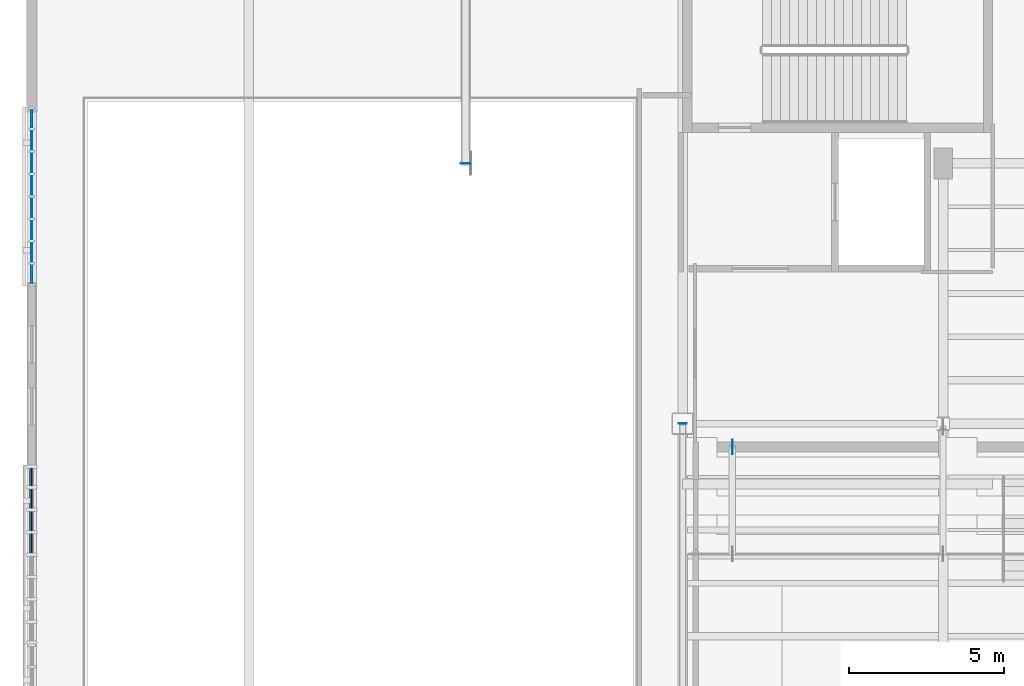
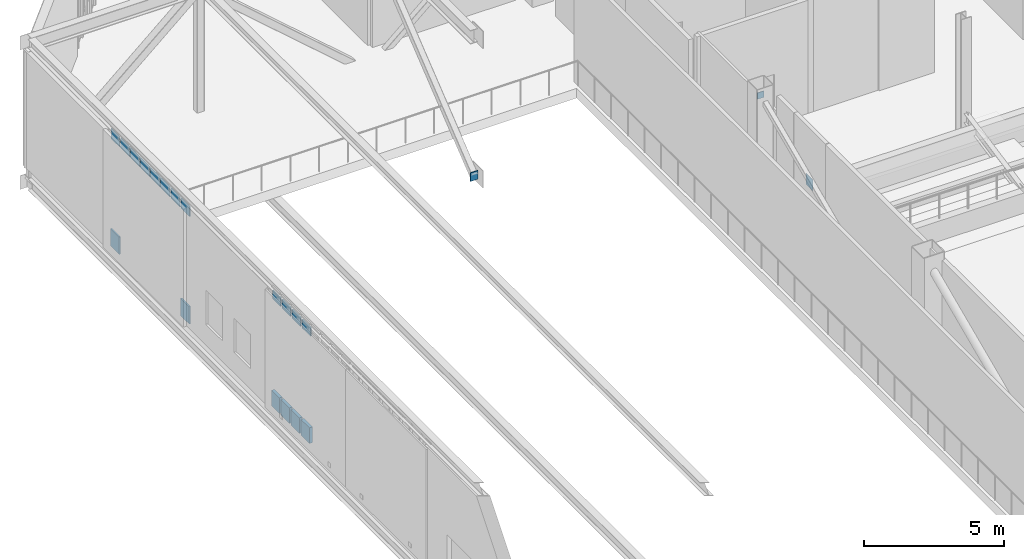
# One storey, part 93 of 135: 21 plates, 2 elements without a shape of their own.
"""IFC4 building model written with IfcOpenShell, lengths in metres."""

import ifcopenshell
import ifcopenshell.guid

model = None  # the IFC model being written
_history = None  # IfcOwnerHistory: only IFC2X3 demands one
_inside = {}  # id of a spatial element -> (the spatial element, [elements in it])
_under = {}  # id of a project, library or spatial element -> (it, [spatial elements below it])
_declared = {}  # id of a project -> (the project, [libraries it declares])
_typed = {}  # id of a type object -> (the type object, [elements of that type])
_made_of = {}  # id of a material, layer set ... -> (it, [elements and type objects made of it])


def new_model(schema):
    """Start an empty IFC model of exactly this schema.

    Asked for "IFC4X3", IfcOpenShell would pick the latest addendum, in which some entities
    have other attributes; the version numbers below select the first issue.
    IFC2X3 requires an IfcOwnerHistory on every rooted entity: one is made here for all.
    """
    global model, _history
    if schema == "IFC4X3":
        model = ifcopenshell.file(schema_version=(4, 3, 0, 0))
    else:
        model = ifcopenshell.file(schema=schema)
    _inside.clear()
    _under.clear()
    _declared.clear()
    _typed.clear()
    _made_of.clear()
    _history = None
    if model.schema == "IFC2X3":
        org = make("IfcOrganization", Name="unknown")
        user = make(
            "IfcPersonAndOrganization",
            ThePerson=make("IfcPerson", FamilyName="unknown"),
            TheOrganization=org,
        )
        app = make(
            "IfcApplication",
            ApplicationDeveloper=org,
            Version="unknown",
            ApplicationFullName="unknown",
            ApplicationIdentifier="unknown",
        )
        _history = make(
            "IfcOwnerHistory",
            OwningUser=user,
            OwningApplication=app,
            ChangeAction="ADDED",
            CreationDate=0,
        )
    return model


def make(cls, **values):
    """One entity of the class cls with the attributes given. An attribute that is None is left unset."""
    return model.create_entity(
        cls, **{name: value for name, value in values.items() if value is not None}
    )


def rooted(cls, **values):
    """An entity with a GlobalId (a new one), such as an element, a storey or a relation."""
    return make(cls, GlobalId=ifcopenshell.guid.new(), OwnerHistory=_history, **values)


def si_unit(unit_type, name, prefix=None):
    """IfcSIUnit, for example si_unit("LENGTHUNIT", "METRE", prefix="MILLI")."""
    return make("IfcSIUnit", UnitType=unit_type, Prefix=prefix, Name=name)


def assignment(units):
    """IfcUnitAssignment: the units of a project."""
    return None if units is None else make("IfcUnitAssignment", Units=units)


def point(xyz):
    """IfcCartesianPoint."""
    return None if xyz is None else make("IfcCartesianPoint", Coordinates=xyz)


def direction(xyz):
    """IfcDirection."""
    return None if xyz is None else make("IfcDirection", DirectionRatios=xyz)


def frame(location, z_axis=None, x_axis=None):
    """IfcAxis2Placement3D, a coordinate frame: its origin and axes. An axis left out is left unset."""
    return make(
        "IfcAxis2Placement3D",
        Location=point(location),
        Axis=direction(z_axis),
        RefDirection=direction(x_axis),
    )


def frame_2d(location, x_axis=None):
    """IfcAxis2Placement2D, a coordinate frame in the plane: its origin and x axis."""
    return make(
        "IfcAxis2Placement2D", Location=point(location), RefDirection=direction(x_axis)
    )


def origin():
    """The frame at (0, 0, 0) with its axes left unset."""
    return frame((0.0, 0.0, 0.0))


def origin_2d():
    """The frame at (0, 0) in the plane with its x axis left unset."""
    return frame_2d((0.0, 0.0))


def place(relative_to, where):
    """IfcLocalPlacement: puts the frame where relative to a parent placement (None: the world)."""
    return make(
        "IfcLocalPlacement", PlacementRelTo=relative_to, RelativePlacement=where
    )


def context(
    kind, dimensions, precision=None, world=None, true_north=None, identifier=None
):
    """IfcGeometricRepresentationContext, for example the 3D "Model" context."""
    return make(
        "IfcGeometricRepresentationContext",
        ContextIdentifier=identifier,
        ContextType=kind,
        CoordinateSpaceDimension=dimensions,
        Precision=precision,
        WorldCoordinateSystem=world,
        TrueNorth=true_north,
    )


def subcontext(parent, identifier, kind, view, scale=None):
    """IfcGeometricRepresentationSubContext, for example "Body" below "Model"."""
    return make(
        "IfcGeometricRepresentationSubContext",
        ContextIdentifier=identifier,
        ContextType=kind,
        ParentContext=parent,
        TargetScale=scale,
        TargetView=view,
    )


def project(units=None, contexts=None):
    """IfcProject with its units and contexts."""
    return rooted(
        "IfcProject",
        Name="project",
        RepresentationContexts=contexts,
        UnitsInContext=assignment(units),
    )


def spatial(cls, under=None, at=None, **own):
    """A site, building, storey or space (cls), placed at a placement, below another one or the project."""
    s = rooted(cls, ObjectPlacement=at, **own)
    if under is not None:
        _under.setdefault(under.id(), (under, []))[1].append(s)
    return s


def profile(cls, at=None, kind="AREA", **sizes):
    """A parametric profile (cls). Its sizes go by their IFC names, for example OverallWidth=200.0."""
    return make(cls, ProfileType=kind, Position=at, **sizes)


def rectangle(**sizes):
    """IfcRectangleProfileDef."""
    return profile("IfcRectangleProfileDef", **sizes)


def extrude(swept, where, along, depth):
    """IfcExtrudedAreaSolid: the profile swept, set in the frame where, extruded along a direction by depth."""
    return make(
        "IfcExtrudedAreaSolid",
        SweptArea=swept,
        Position=where,
        ExtrudedDirection=direction(along),
        Depth=depth,
    )


def shape(context_of_items, identifier, shape_type, items):
    """IfcShapeRepresentation: the items that make up one representation, for example the "Body"."""
    return make(
        "IfcShapeRepresentation",
        ContextOfItems=context_of_items,
        RepresentationIdentifier=identifier,
        RepresentationType=shape_type,
        Items=items,
    )


def material(Name=None, Category=None):
    """IfcMaterial."""
    return make("IfcMaterial", Name=Name, Category=Category)


def layer(
    of_material, thickness, ventilated=None, Name=None, Category=None, Priority=None
):
    """IfcMaterialLayer: one layer of a wall or slab, of a material (None: an air gap)."""
    return make(
        "IfcMaterialLayer",
        Material=of_material,
        LayerThickness=thickness,
        IsVentilated=ventilated,
        Name=Name,
        Category=Category,
        Priority=Priority,
    )


def layer_set(layers, Name=None):
    """IfcMaterialLayerSet."""
    return make("IfcMaterialLayerSet", MaterialLayers=layers, LayerSetName=Name)


def made_of(thing, what):
    """Note that an element or type object is made of a material, layer set ...; save() writes the relation."""
    if what is not None:
        _made_of.setdefault(what.id(), (what, []))[1].append(thing)
    return thing


def type_object(cls, material=None, **own):
    """A type object (cls), such as IfcWallType, which elements share."""
    return made_of(rooted(cls, **own), material)


def element(
    cls,
    number,
    at=None,
    inside=None,
    cuts=None,
    type_object=None,
    material=None,
    context=None,
    identifier="Body",
    shape_type=None,
    held_by="IfcProductDefinitionShape",
    body=None,
    shapes=None,
    **own,
):
    """One element of the class cls, such as IfcWall. Its Tag is "e" and its number.

    at: its placement. inside: the storey or other place that contains it. cuts: it is an
    opening in that element (IfcRelVoidsElement). A single representation is given by context,
    identifier, shape_type and body (its items); several are given by shapes. held_by: the class
    of the entity that holds the representations. save() writes the other relations.
    """
    e = rooted(cls, Tag="e%d" % number, ObjectPlacement=at, **own)
    if body is not None:
        shapes = [shape(context, identifier, shape_type, body)]
    if shapes is not None:
        e.Representation = make(held_by, Representations=shapes)
    if inside is not None:
        _inside.setdefault(inside.id(), (inside, []))[1].append(e)
    if cuts is not None:
        rooted(
            "IfcRelVoidsElement", RelatingBuildingElement=cuts, RelatedOpeningElement=e
        )
    if type_object is not None:
        _typed.setdefault(type_object.id(), (type_object, []))[1].append(e)
    return made_of(e, material)


def aggregate(whole, parts):
    """IfcRelAggregates: a whole, such as a stair, and the parts it consists of."""
    return rooted("IfcRelAggregates", RelatingObject=whole, RelatedObjects=parts)


def save(model, path):
    """Write the relations noted so far, then the file.

    IfcRelAggregates (storeys below a building ...), IfcRelContainedInSpatialStructure (elements
    in a storey), IfcRelDefinesByType, IfcRelAssociatesMaterial and IfcRelDeclares: one each for
    every whole, place, type object, material and project.
    """
    for whole, parts in _under.values():
        aggregate(whole, parts)
    for where, things in _inside.values():
        rooted(
            "IfcRelContainedInSpatialStructure",
            RelatedElements=things,
            RelatingStructure=where,
        )
    for kind, things in _typed.values():
        rooted("IfcRelDefinesByType", RelatedObjects=things, RelatingType=kind)
    for what, things in _made_of.values():
        rooted("IfcRelAssociatesMaterial", RelatedObjects=things, RelatingMaterial=what)
    for by, libraries in _declared.values():
        rooted("IfcRelDeclares", RelatingContext=by, RelatedDefinitions=libraries)
    model.write(path)


model = new_model("IFC4")

# Units and contexts
model_context = context("Model", 3, precision=1e-05, world=origin(), true_north=direction((0.0, 1.0)))
body_context = subcontext(model_context, "Body", "Model", "MODEL_VIEW")
ifc_project = project(units=[si_unit("LENGTHUNIT", "METRE"), si_unit("AREAUNIT", "SQUARE_METRE"), si_unit("VOLUMEUNIT", "CUBIC_METRE"), si_unit("PLANEANGLEUNIT", "RADIAN"), si_unit("MASSUNIT", "GRAM", prefix="KILO")], contexts=[model_context])

# Site, building, storey
site_placement = place(None, origin())
site = spatial("IfcSite", under=ifc_project, at=site_placement, CompositionType="ELEMENT")
building_placement = place(site_placement, origin())
building = spatial("IfcBuilding", under=site, at=building_placement, Name="Larkvane Passage Sports Hall", CompositionType="ELEMENT")
storey_placement = place(building_placement, frame((0.0, 0.0, 10.800048828125)))
storey = spatial("IfcBuildingStorey", under=building, at=storey_placement, Name="L02", CompositionType="ELEMENT", Elevation=10.800048828125)

# Curtain wall, plates
ifc_material_1 = material(Name="Thermally broken aluminium and low-E glazing", Category="aluminium")
curtain_wall_type_1 = type_object("IfcCurtainWallType", Name="CW-CLINIC", PredefinedType="USERDEFINED", material=ifc_material_1)
curtain_wall_1_placement = place(storey_placement, origin())
curtain_wall_1 = element("IfcCurtainWall", 1, at=curtain_wall_1_placement, inside=storey, type_object=curtain_wall_type_1, Name="Curtain wall CW5-L02-095", ObjectType="UNITISED CURTAIN WALL", PredefinedType="USERDEFINED")
ifc_material_2 = material(Name="Deep insulated facade spandrel panel")
ifc_layer_1 = layer(ifc_material_2, 0.125)
ifc_layer_set_1 = layer_set([ifc_layer_1], Name="Deep insulated facade spandrel panel")
plate_type_1 = type_object("IfcPlateType", Name="CWP-SPD-125", PredefinedType="CURTAIN_PANEL", material=ifc_layer_set_1)
plate_1_placement = place(storey_placement, frame((13.800048828125, 71.739013671875, 0.10986328125), z_axis=(0.0, 0.0, 1.0), x_axis=(0.0, 1.0, 0.0)))
plate_1 = element("IfcPlate", 2, at=plate_1_placement, type_object=plate_type_1, Name="CW-05 panel 5.1", PredefinedType="CURTAIN_PANEL", context=body_context, shape_type="SweptSolid", body=[
    extrude(rectangle(XDim=0.6123046875, YDim=0.125, at=origin_2d()), origin(), (0.0, 0.0, 1.0), 0.68505859375),
])
plate_2_placement = place(storey_placement, frame((13.800048828125, 72.461181640625, 0.10986328125), z_axis=(0.0, 0.0, 1.0), x_axis=(0.0, 1.0, 0.0)))
plate_2 = element("IfcPlate", 3, at=plate_2_placement, type_object=plate_type_1, Name="CW-05 panel 6.1", PredefinedType="CURTAIN_PANEL", context=body_context, shape_type="SweptSolid", body=[
    extrude(rectangle(XDim=0.6123046875, YDim=0.125, at=origin_2d()), origin(), (0.0, 0.0, 1.0), 0.68505859375),
])
plate_3_placement = place(storey_placement, frame((13.800048828125, 73.183349609375, 0.10986328125), z_axis=(0.0, 0.0, 1.0), x_axis=(0.0, 1.0, 0.0)))
plate_3 = element("IfcPlate", 4, at=plate_3_placement, type_object=plate_type_1, Name="CW-05 panel 7.1", PredefinedType="CURTAIN_PANEL", context=body_context, shape_type="SweptSolid", body=[
    extrude(rectangle(XDim=0.6123046875, YDim=0.125, at=origin_2d()), origin(), (0.0, 0.0, 1.0), 0.68505859375),
])
plate_4_placement = place(storey_placement, frame((13.800048828125, 73.878173828125, 0.10986328125), z_axis=(0.0, 0.0, 1.0), x_axis=(0.0, 1.0, 0.0)))
plate_4 = element("IfcPlate", 5, at=plate_4_placement, type_object=plate_type_1, Name="CW-05 panel 8.1", PredefinedType="CURTAIN_PANEL", context=body_context, shape_type="SweptSolid", body=[
    extrude(rectangle(XDim=0.55712890625, YDim=0.125, at=origin_2d()), origin(), (0.0, 0.0, 1.0), 0.68505859375),
])

curtain_wall_type_2 = type_object("IfcCurtainWallType", Name="CW-UNIT-COURT", PredefinedType="USERDEFINED", material=ifc_material_1)
curtain_wall_2_placement = place(storey_placement, origin())
curtain_wall_2 = element("IfcCurtainWall", 6, at=curtain_wall_2_placement, inside=storey, type_object=curtain_wall_type_2, Name="Curtain wall CW5-L02-096", ObjectType="UNITISED CURTAIN WALL", PredefinedType="USERDEFINED")
ifc_material_3 = material(Name="Insulated aluminium spandrel panel", Category="aluminium")
ifc_layer_2 = layer(ifc_material_3, 0.06494140625)
ifc_layer_set_2 = layer_set([ifc_layer_2], Name="Insulated aluminium spandrel panel")
plate_type_2 = type_object("IfcPlateType", Name="CWP-SPD-65", PredefinedType="CURTAIN_PANEL", material=ifc_layer_set_2)
plate_5_placement = place(storey_placement, frame((13.800048828125, 80.421875, 0.06494140625), z_axis=(0.0, 0.0, 1.0), x_axis=(0.0, 1.0, 0.0)))
plate_5 = element("IfcPlate", 7, at=plate_5_placement, type_object=plate_type_2, Name="CW-01 panel 1.1", PredefinedType="CURTAIN_PANEL", context=body_context, shape_type="SweptSolid", body=[
    extrude(rectangle(XDim=0.624755859375, YDim=0.06494140625, at=origin_2d()), origin(), (0.0, 0.0, 1.0), 0.75244140625),
])
plate_6_placement = place(storey_placement, frame((13.800048828125, 85.44482421875, 0.06494140625), z_axis=(0.0, 0.0, 1.0), x_axis=(0.0, 1.0, 0.0)))
plate_6 = element("IfcPlate", 8, at=plate_6_placement, type_object=plate_type_2, Name="CW-01 panel 8.1", PredefinedType="CURTAIN_PANEL", context=body_context, shape_type="SweptSolid", body=[
    extrude(rectangle(XDim=0.624755859375, YDim=0.06494140625, at=origin_2d()), origin(), (0.0, 0.0, 1.0), 0.75244140625),
])
ifc_material_4 = material(Name="Solar-control low-E double glazing", Category="glass")
ifc_layer_3 = layer(ifc_material_4, 0.028076171875)
ifc_layer_set_3 = layer_set([ifc_layer_3], Name="Solar-control low-E double glazing")
plate_type_3 = type_object("IfcPlateType", Name="CWP-VIS-28", PredefinedType="CURTAIN_PANEL", material=ifc_layer_set_3)
plate_7_placement = place(storey_placement, frame((13.800048828125, 80.421875, 4.7607421875), z_axis=(0.0, 0.0, 1.0), x_axis=(0.0, 1.0, 0.0)))
plate_7 = element("IfcPlate", 9, at=plate_7_placement, type_object=plate_type_3, Name="CW-01 panel 1.3", PredefinedType="CURTAIN_PANEL", context=body_context, shape_type="SweptSolid", body=[
    extrude(rectangle(XDim=0.624755859375, YDim=0.028076171875, at=origin_2d()), origin(), (0.0, 0.0, 1.0), 0.452392578125),
])
plate_8_placement = place(storey_placement, frame((13.800048828125, 81.127685546875, 4.7607421875), z_axis=(0.0, 0.0, 1.0), x_axis=(0.0, 1.0, 0.0)))
plate_8 = element("IfcPlate", 10, at=plate_8_placement, type_object=plate_type_3, Name="CW-01 panel 2.3", PredefinedType="CURTAIN_PANEL", context=body_context, shape_type="SweptSolid", body=[
    extrude(rectangle(XDim=0.6572265625, YDim=0.028076171875, at=origin_2d()), origin(), (0.0, 0.0, 1.0), 0.452392578125),
])
plate_9_placement = place(storey_placement, frame((13.800048828125, 81.849853515625, 4.7607421875), z_axis=(0.0, 0.0, 1.0), x_axis=(0.0, 1.0, 0.0)))
plate_9 = element("IfcPlate", 11, at=plate_9_placement, type_object=plate_type_3, Name="CW-01 panel 3.3", PredefinedType="CURTAIN_PANEL", context=body_context, shape_type="SweptSolid", body=[
    extrude(rectangle(XDim=0.6572265625, YDim=0.028076171875, at=origin_2d()), origin(), (0.0, 0.0, 1.0), 0.452392578125),
])
plate_10_placement = place(storey_placement, frame((13.800048828125, 82.572265625, 4.7607421875), z_axis=(0.0, 0.0, 1.0), x_axis=(0.0, 1.0, 0.0)))
plate_10 = element("IfcPlate", 12, at=plate_10_placement, type_object=plate_type_3, Name="CW-01 panel 4.3", PredefinedType="CURTAIN_PANEL", context=body_context, shape_type="SweptSolid", body=[
    extrude(rectangle(XDim=0.6572265625, YDim=0.028076171875, at=origin_2d()), origin(), (0.0, 0.0, 1.0), 0.452392578125),
])
plate_11_placement = place(storey_placement, frame((13.800048828125, 83.29443359375, 4.7607421875), z_axis=(0.0, 0.0, 1.0), x_axis=(0.0, 1.0, 0.0)))
plate_11 = element("IfcPlate", 13, at=plate_11_placement, type_object=plate_type_3, Name="CW-01 panel 5.3", PredefinedType="CURTAIN_PANEL", context=body_context, shape_type="SweptSolid", body=[
    extrude(rectangle(XDim=0.6572265625, YDim=0.028076171875, at=origin_2d()), origin(), (0.0, 0.0, 1.0), 0.452392578125),
])
plate_12_placement = place(storey_placement, frame((13.800048828125, 84.0166015625, 4.7607421875), z_axis=(0.0, 0.0, 1.0), x_axis=(0.0, 1.0, 0.0)))
plate_12 = element("IfcPlate", 14, at=plate_12_placement, type_object=plate_type_3, Name="CW-01 panel 6.3", PredefinedType="CURTAIN_PANEL", context=body_context, shape_type="SweptSolid", body=[
    extrude(rectangle(XDim=0.6572265625, YDim=0.028076171875, at=origin_2d()), origin(), (0.0, 0.0, 1.0), 0.452392578125),
])
plate_13_placement = place(storey_placement, frame((13.800048828125, 84.73876953125, 4.7607421875), z_axis=(0.0, 0.0, 1.0), x_axis=(0.0, 1.0, 0.0)))
plate_13 = element("IfcPlate", 15, at=plate_13_placement, type_object=plate_type_3, Name="CW-01 panel 7.3", PredefinedType="CURTAIN_PANEL", context=body_context, shape_type="SweptSolid", body=[
    extrude(rectangle(XDim=0.6572265625, YDim=0.028076171875, at=origin_2d()), origin(), (0.0, 0.0, 1.0), 0.452392578125),
])
plate_14_placement = place(storey_placement, frame((13.800048828125, 85.44482421875, 4.7607421875), z_axis=(0.0, 0.0, 1.0), x_axis=(0.0, 1.0, 0.0)))
plate_14 = element("IfcPlate", 16, at=plate_14_placement, type_object=plate_type_3, Name="CW-01 panel 8.3", PredefinedType="CURTAIN_PANEL", context=body_context, shape_type="SweptSolid", body=[
    extrude(rectangle(XDim=0.624755859375, YDim=0.028076171875, at=origin_2d()), origin(), (0.0, 0.0, 1.0), 0.452392578125),
])
aggregate(curtain_wall_2, [plate_5, plate_7, plate_8, plate_9, plate_10, plate_11, plate_12, plate_13, plate_6, plate_14])

# Plate
ifc_material_5 = material(Name="Triple-laminated typhoon glazing", Category="glass")
ifc_layer_4 = layer(ifc_material_5, 0.0419921875)
ifc_layer_set_4 = layer_set([ifc_layer_4], Name="Triple-laminated typhoon glazing")
plate_type_4 = type_object("IfcPlateType", Name="CWP-VIS-42", PredefinedType="CURTAIN_PANEL", material=ifc_layer_set_4)
plate_15_placement = place(storey_placement, frame((13.800048828125, 71.739013671875, 4.78271484375), z_axis=(0.0, 0.0, 1.0), x_axis=(0.0, 1.0, 0.0)))
plate_15 = element("IfcPlate", 17, at=plate_15_placement, type_object=plate_type_4, Name="CW-05 panel 5.3", PredefinedType="CURTAIN_PANEL", context=body_context, shape_type="SweptSolid", body=[
    extrude(rectangle(XDim=0.6123046875, YDim=0.0419921875, at=origin_2d()), origin(), (0.0, 0.0, 1.0), 0.385009765625),
])

plate_16_placement = place(storey_placement, frame((13.800048828125, 72.461181640625, 4.78271484375), z_axis=(0.0, 0.0, 1.0), x_axis=(0.0, 1.0, 0.0)))
plate_16 = element("IfcPlate", 18, at=plate_16_placement, type_object=plate_type_4, Name="CW-05 panel 6.3", PredefinedType="CURTAIN_PANEL", context=body_context, shape_type="SweptSolid", body=[
    extrude(rectangle(XDim=0.6123046875, YDim=0.0419921875, at=origin_2d()), origin(), (0.0, 0.0, 1.0), 0.385009765625),
])

plate_17_placement = place(storey_placement, frame((13.800048828125, 73.183349609375, 4.78271484375), z_axis=(0.0, 0.0, 1.0), x_axis=(0.0, 1.0, 0.0)))
plate_17 = element("IfcPlate", 19, at=plate_17_placement, type_object=plate_type_4, Name="CW-05 panel 7.3", PredefinedType="CURTAIN_PANEL", context=body_context, shape_type="SweptSolid", body=[
    extrude(rectangle(XDim=0.6123046875, YDim=0.0419921875, at=origin_2d()), origin(), (0.0, 0.0, 1.0), 0.385009765625),
])

plate_18_placement = place(storey_placement, frame((13.800048828125, 73.878173828125, 4.78271484375), z_axis=(0.0, 0.0, 1.0), x_axis=(0.0, 1.0, 0.0)))
plate_18 = element("IfcPlate", 20, at=plate_18_placement, type_object=plate_type_4, Name="CW-05 panel 8.3", PredefinedType="CURTAIN_PANEL", context=body_context, shape_type="SweptSolid", body=[
    extrude(rectangle(XDim=0.55712890625, YDim=0.0419921875, at=origin_2d()), origin(), (0.0, 0.0, 1.0), 0.385009765625),
])

aggregate(curtain_wall_1, [plate_1, plate_15, plate_2, plate_16, plate_3, plate_17, plate_4, plate_18])

# Plates
ifc_material_6 = material(Name="Steel S355JR", Category="steel")
ifc_layer_5 = layer(ifc_material_6, 0.011962890625)
ifc_layer_set_5 = layer_set([ifc_layer_5], Name="Steel S355JR")
plate_type_5 = type_object("IfcPlateType", Name="PLT-CAP-12", PredefinedType="SHEET", material=ifc_layer_set_5)
plate_19_placement = place(storey_placement, frame((27.800048828125, 83.995361328125, -0.908203125), z_axis=(0.0, 0.0, 1.0), x_axis=(-1.0, 0.0, 0.0)))
element("IfcPlate", 21, at=plate_19_placement, inside=storey, type_object=plate_type_5, Name="Hollow section sealed end cap plate 0136", PredefinedType="SHEET", context=body_context, shape_type="SweptSolid", body=[
    extrude(rectangle(XDim=0.31005859375, YDim=0.028076171875, at=origin_2d()), origin(), (0.0, 0.0, 1.0), 0.381103515625),
])
plate_20_placement = place(storey_placement, frame((34.800048828125, 75.60546875, 5.31298828125), z_axis=(0.0, 0.0, 1.0), x_axis=(-1.0, 0.0, 0.0)))
element("IfcPlate", 22, at=plate_20_placement, inside=storey, type_object=plate_type_5, Name="Hollow section sealed end cap plate 0569", PredefinedType="SHEET", context=body_context, shape_type="SweptSolid", body=[
    extrude(rectangle(XDim=0.260009765625, YDim=0.028076171875, at=origin_2d()), origin(), (0.0, 0.0, 1.0), 0.279052734375),
])
ifc_material_7 = material(Name="Steel S460N", Category="steel")
ifc_layer_6 = layer(ifc_material_7, 0.01611328125)
ifc_layer_set_6 = layer_set([ifc_layer_6], Name="Steel S460N")
plate_type_6 = type_object("IfcPlateType", Name="PLT-GUS-16", PredefinedType="USERDEFINED", material=ifc_layer_set_6)
plate_21_placement = place(storey_placement, frame((36.39990234375, 74.85009765625, 1.31005859375), z_axis=(0.0, 0.0, 1.0), x_axis=(0.0, 1.0, 0.0)))
element("IfcPlate", 23, at=plate_21_placement, inside=storey, type_object=plate_type_6, Name="Brace connection gusset plate 0046", ObjectType="GUSSET PLATE", PredefinedType="USERDEFINED", context=body_context, shape_type="SweptSolid", body=[
    extrude(rectangle(XDim=0.47998046875, YDim=0.01611328125, at=origin_2d()), origin(), (0.0, 0.0, 1.0), 0.47998046875),
])

save(model, "model.ifc")
